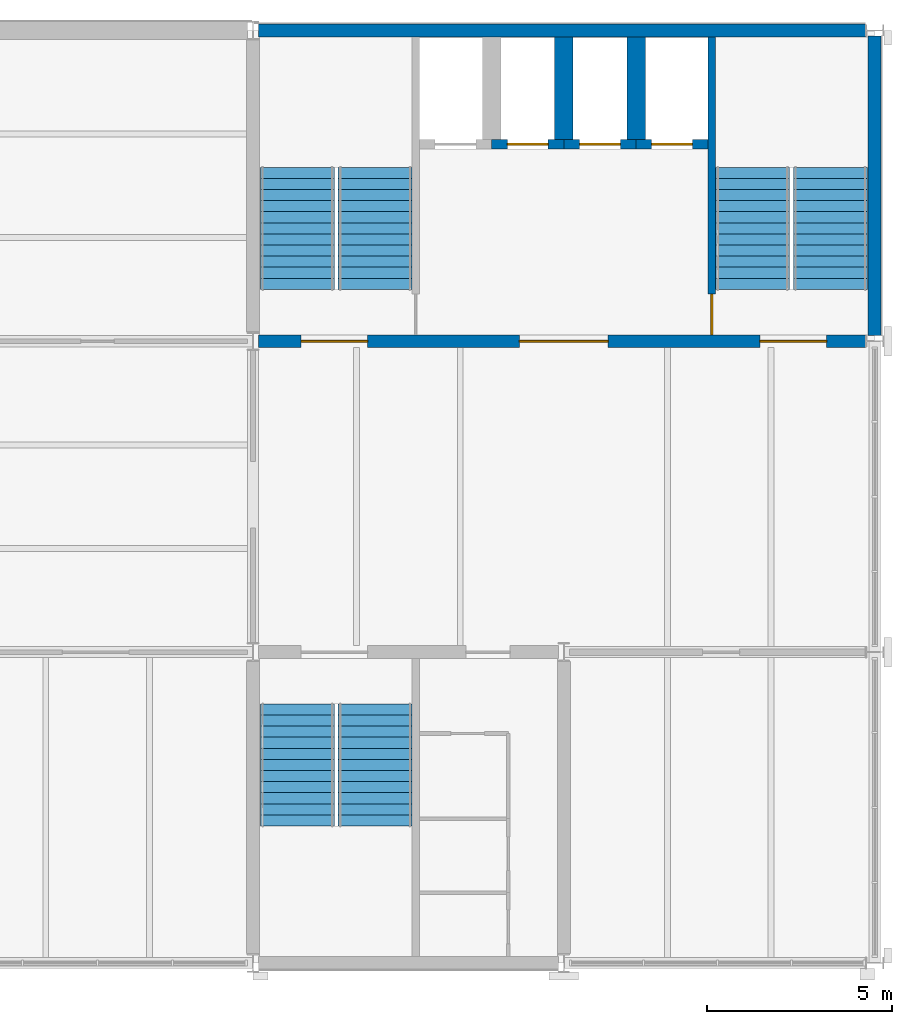
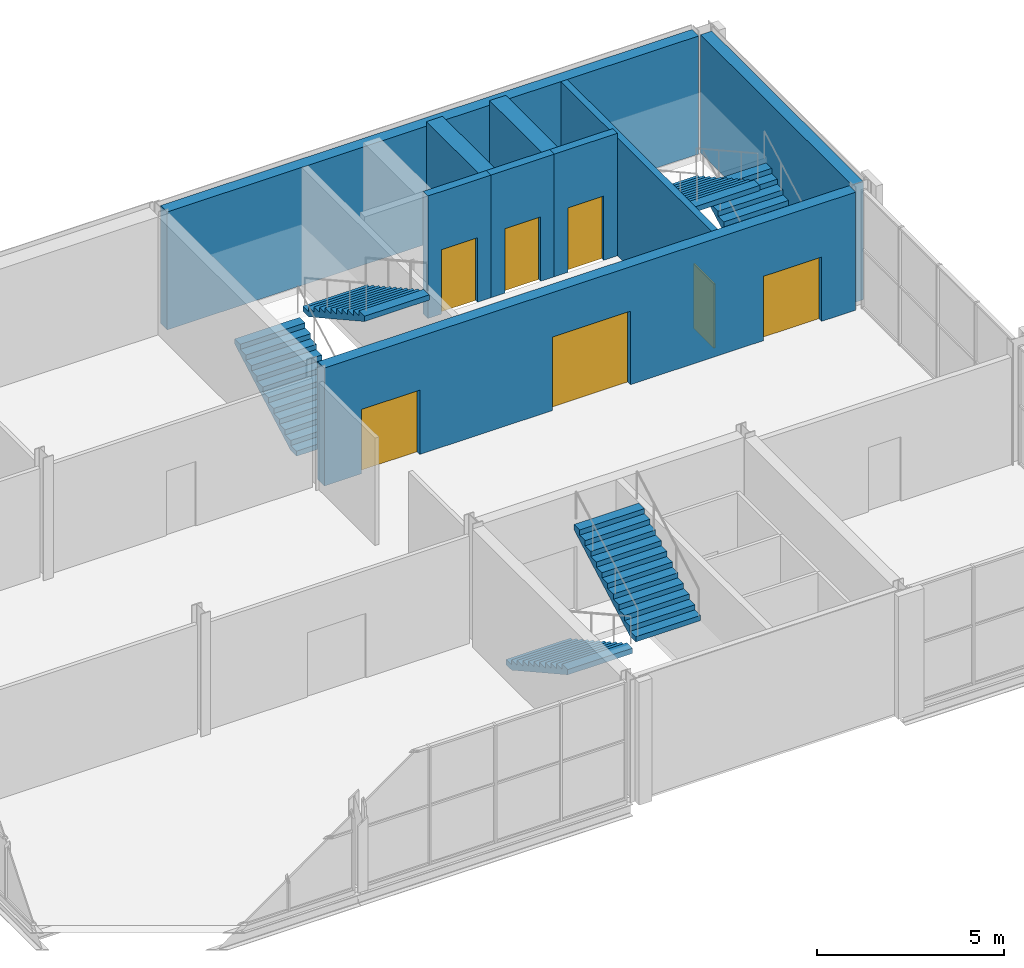
# One storey, part 9 of 12: 9 walls, 7 doors, 6 stair flights, 7 openings, 3 elements without a shape of their own.
"""IFC4 building model written with IfcOpenShell, lengths in metres."""

from ifc_helpers import new_model, si_unit, direction, frame, frame_2d, origin, place, context, subcontext, project, spatial, polyline, rectangle, outline, extrude, material, layer, layer_set, type_object, element, fill, aggregate, save


model = new_model("IFC4")

# Units and contexts
model_context = context("Model", 3, precision=1e-05, world=origin(), true_north=direction((0.0, 1.0)))
body_context = subcontext(model_context, "Body", "Model", "MODEL_VIEW")
ifc_project = project(units=[si_unit("LENGTHUNIT", "METRE"), si_unit("AREAUNIT", "SQUARE_METRE"), si_unit("VOLUMEUNIT", "CUBIC_METRE"), si_unit("PLANEANGLEUNIT", "RADIAN"), si_unit("MASSUNIT", "GRAM", prefix="KILO")], contexts=[model_context])

# Site, building, storey
site_placement = place(None, origin())
site = spatial("IfcSite", under=ifc_project, at=site_placement, CompositionType="ELEMENT")
building_placement = place(site_placement, origin())
building = spatial("IfcBuilding", under=site, at=building_placement, Name="Galleria Vessillo Department Store", CompositionType="ELEMENT")
storey_placement = place(building_placement, frame((0.0, 0.0, 39.60009765625)))
storey = spatial("IfcBuildingStorey", under=building, at=storey_placement, Name="L08", CompositionType="ELEMENT", Elevation=39.60009765625)

# Walls
ifc_material_1 = material(Name="Solid clay block masonry", Category="masonry")
ifc_layer_1 = layer(ifc_material_1, 0.5)
ifc_layer_set_1 = layer_set([ifc_layer_1], Name="Solid clay block masonry")
wall_type_1 = type_object("IfcWallType", Name="Lift shaft partition wall 500 mm", PredefinedType="SOLIDWALL", material=ifc_layer_set_1)
for number, where, z_axis, x_axis, name in (
    (1, (109.199951171875, 62.824951171875, 0.0), (0.0, 0.0, 1.0), (0.0, -1.0, 0.0), "Lift shaft partition wall T2 L08"),
    (2, (111.14990234375, 62.824951171875, 0.0), (0.0, 0.0, 1.0), (0.0, -1.0, 0.0), "Lift shaft partition wall T3 L08"),
):
    element("IfcWall", number, at=place(storey_placement, frame(where, z_axis=z_axis, x_axis=x_axis)), inside=storey, type_object=wall_type_1, Name=name, PredefinedType="SOLIDWALL", context=body_context, shape_type="SweptSolid", body=[
        extrude(rectangle(XDim=2.77490234375, YDim=0.5, at=frame_2d((1.387451171875, 0.0))), origin(), (0.0, 0.0, 1.0), 4.0),
    ])

# Wall, opening, door
ifc_material_2 = material(Name="Solid clay block masonry", Category="masonry")
ifc_layer_2 = layer(ifc_material_2, 0.25)
ifc_layer_set_2 = layer_set([ifc_layer_2], Name="Solid clay block masonry")
wall_type_2 = type_object("IfcWallType", Name="Lift shaft wall 250 mm", PredefinedType="SOLIDWALL", material=ifc_layer_set_2)
wall_1_placement = place(storey_placement, frame((107.25, 59.925048828125, 0.0), z_axis=(0.0, 0.0, 1.0), x_axis=(1.0, 0.0, 0.0)))
wall_1 = element("IfcWall", 3, at=wall_1_placement, inside=storey, type_object=wall_type_2, Name="Lift shaft wall T2 landing side L08", PredefinedType="SOLIDWALL", context=body_context, shape_type="SweptSolid", body=[
    extrude(rectangle(XDim=1.949951171875, YDim=0.25, at=frame_2d((0.97509765625, 0.0))), origin(), (0.0, 0.0, 1.0), 4.0),
])
opening_1_placement = place(wall_1_placement, frame((0.425048828125, 0.0, 0.0)))
opening_1 = element("IfcOpeningElement", 4, at=opening_1_placement, cuts=wall_1, Name="Opening LD106", PredefinedType="OPENING", context=body_context, shape_type="SweptSolid", body=[
    extrude(rectangle(XDim=1.10009765625, YDim=2.10009765625, at=frame_2d((0.550048828125, 1.050048828125))), frame((0.0, 0.135009765625, 0.0), z_axis=(0.0, -1.0, 0.0), x_axis=(1.0, 0.0, 0.0)), (0.0, 0.0, 1.0), 0.27001953125),
])
ifc_material_3 = material(Name="Stainless steel lift door panel", Category="steel")
door_type_1 = type_object("IfcDoorType", Name="Lift landing door LD110 sliding 1100 x 2100", OperationType="SLIDING_TO_LEFT", PredefinedType="DOOR", material=ifc_material_3)
door_1_placement = place(opening_1_placement, frame((1.10009765625, 0.0, 0.0), z_axis=(0.0, 0.0, 1.0), x_axis=(-1.0, 0.0, 0.0)))
door_1 = element("IfcDoor", 5, at=door_1_placement, inside=storey, type_object=door_type_1, Name="Lift landing door T2 L08", OperationType="SLIDING_TO_RIGHT", OverallHeight=2.10009765625, OverallWidth=1.10009765625, PredefinedType="DOOR", context=body_context, shape_type="SweptSolid", body=[
    extrude(rectangle(XDim=1.10009765625, YDim=2.10009765625, at=frame_2d((0.550048828125, 1.050048828125))), frame((0.0, 0.02490234375, 0.0), z_axis=(0.0, -1.0, 0.0), x_axis=(1.0, 0.0, 0.0)), (0.0, 0.0, 1.0), 0.050048828125),
])
fill(opening_1, door_1)

wall_2_placement = place(storey_placement, frame((109.199951171875, 59.925048828125, 0.0), z_axis=(0.0, 0.0, 1.0), x_axis=(1.0, 0.0, 0.0)))
wall_2 = element("IfcWall", 6, at=wall_2_placement, inside=storey, type_object=wall_type_2, Name="Lift shaft wall T3 landing side L08", PredefinedType="SOLIDWALL", context=body_context, shape_type="SweptSolid", body=[
    extrude(rectangle(XDim=1.949951171875, YDim=0.25, at=frame_2d((0.97509765625, 0.0))), origin(), (0.0, 0.0, 1.0), 4.0),
])
opening_2_placement = place(wall_2_placement, frame((0.425048828125, 0.0, 0.0)))
opening_2 = element("IfcOpeningElement", 7, at=opening_2_placement, cuts=wall_2, Name="Opening LD107", PredefinedType="OPENING", context=body_context, shape_type="SweptSolid", body=[
    extrude(rectangle(XDim=1.10009765625, YDim=2.10009765625, at=frame_2d((0.550048828125, 1.050048828125))), frame((0.0, 0.135009765625, 0.0), z_axis=(0.0, -1.0, 0.0), x_axis=(1.0, 0.0, 0.0)), (0.0, 0.0, 1.0), 0.27001953125),
])
door_2_placement = place(opening_2_placement, frame((1.10009765625, 0.0, 0.0), z_axis=(0.0, 0.0, 1.0), x_axis=(-1.0, 0.0, 0.0)))
door_2 = element("IfcDoor", 8, at=door_2_placement, inside=storey, type_object=door_type_1, Name="Lift landing door T3 L08", OperationType="SLIDING_TO_RIGHT", OverallHeight=2.10009765625, OverallWidth=1.10009765625, PredefinedType="DOOR", context=body_context, shape_type="SweptSolid", body=[
    extrude(rectangle(XDim=1.10009765625, YDim=2.10009765625, at=frame_2d((0.550048828125, 1.050048828125))), frame((0.0, 0.02490234375, 0.0), z_axis=(0.0, -1.0, 0.0), x_axis=(1.0, 0.0, 0.0)), (0.0, 0.0, 1.0), 0.050048828125),
])
fill(opening_2, door_2)

wall_3_placement = place(storey_placement, frame((111.14990234375, 59.925048828125, 0.0), z_axis=(0.0, 0.0, 1.0), x_axis=(1.0, 0.0, 0.0)))
wall_3 = element("IfcWall", 9, at=wall_3_placement, inside=storey, type_object=wall_type_2, Name="Lift shaft wall T4 landing side L08", PredefinedType="SOLIDWALL", context=body_context, shape_type="SweptSolid", body=[
    extrude(rectangle(XDim=1.9501953125, YDim=0.25, at=frame_2d((0.97509765625, 0.0))), origin(), (0.0, 0.0, 1.0), 4.0),
])
opening_3_placement = place(wall_3_placement, frame((0.425048828125, 0.0, 0.0)))
opening_3 = element("IfcOpeningElement", 10, at=opening_3_placement, cuts=wall_3, Name="Opening LD108", PredefinedType="OPENING", context=body_context, shape_type="SweptSolid", body=[
    extrude(rectangle(XDim=1.10009765625, YDim=2.10009765625, at=frame_2d((0.550048828125, 1.050048828125))), frame((0.0, 0.135009765625, 0.0), z_axis=(0.0, -1.0, 0.0), x_axis=(1.0, 0.0, 0.0)), (0.0, 0.0, 1.0), 0.27001953125),
])
door_3_placement = place(opening_3_placement, frame((1.10009765625, 0.0, 0.0), z_axis=(0.0, 0.0, 1.0), x_axis=(-1.0, 0.0, 0.0)))
door_3 = element("IfcDoor", 11, at=door_3_placement, inside=storey, type_object=door_type_1, Name="Lift landing door T4 L08", OperationType="SLIDING_TO_LEFT", OverallHeight=2.10009765625, OverallWidth=1.10009765625, PredefinedType="DOOR", context=body_context, shape_type="SweptSolid", body=[
    extrude(rectangle(XDim=1.10009765625, YDim=2.10009765625, at=frame_2d((0.550048828125, 1.050048828125))), frame((0.0, 0.02490234375, 0.0), z_axis=(0.0, -1.0, 0.0), x_axis=(1.0, 0.0, 0.0)), (0.0, 0.0, 1.0), 0.050048828125),
])
fill(opening_3, door_3)

# Wall, openings, doors
ifc_material_4 = material(Name="Concrete C32/40 reinforced", Category="concrete")
ifc_layer_3 = layer(ifc_material_4, 0.35009765625)
ifc_layer_set_3 = layer_set([ifc_layer_3], Name="Concrete C32/40 reinforced")
wall_type_3 = type_object("IfcWallType", Name="Reinforced concrete core wall 350 mm", PredefinedType="SHEAR", material=ifc_layer_set_3)
wall_4_placement = place(storey_placement, frame((100.949951171875, 54.60009765625, 0.0), z_axis=(0.0, 0.0, 1.0), x_axis=(1.0, 0.0, 0.0)))
wall_4 = element("IfcWall", 12, at=wall_4_placement, inside=storey, type_object=wall_type_3, Name="S-CW-TC-INTERIOR-L08", PredefinedType="SHEAR", context=body_context, shape_type="SweptSolid", body=[
    extrude(rectangle(XDim=16.400146484375, YDim=0.35009765625, at=frame_2d((8.2001953125, 0.0))), origin(), (0.0, 0.0, 1.0), 3.85009765625),
])
opening_4_placement = place(wall_4_placement, frame((1.14990234375, 0.0, 0.0)))
opening_4 = element("IfcOpeningElement", 13, at=opening_4_placement, cuts=wall_4, Name="Opening D5282", PredefinedType="OPENING", context=body_context, shape_type="SweptSolid", body=[
    extrude(rectangle(XDim=1.800048828125, YDim=2.10009765625, at=frame_2d((0.89990234375, 1.050048828125))), frame((0.0, 0.18505859375, 0.0), z_axis=(0.0, -1.0, 0.0), x_axis=(1.0, 0.0, 0.0)), (0.0, 0.0, 1.0), 0.3701171875),
])
opening_5_placement = place(wall_4_placement, frame((13.5498046875, 0.0, 0.0)))
opening_5 = element("IfcOpeningElement", 14, at=opening_5_placement, cuts=wall_4, Name="Opening D5283", PredefinedType="OPENING", context=body_context, shape_type="SweptSolid", body=[
    extrude(rectangle(XDim=1.800048828125, YDim=2.10009765625, at=frame_2d((0.89990234375, 1.050048828125))), frame((0.0, 0.18505859375, 0.0), z_axis=(0.0, -1.0, 0.0), x_axis=(1.0, 0.0, 0.0)), (0.0, 0.0, 1.0), 0.3701171875),
])
opening_6_placement = place(wall_4_placement, frame((7.0498046875, 0.0, 0.0)))
opening_6 = element("IfcOpeningElement", 15, at=opening_6_placement, cuts=wall_4, Name="Opening D5284", PredefinedType="OPENING", context=body_context, shape_type="SweptSolid", body=[
    extrude(rectangle(XDim=2.39990234375, YDim=2.39990234375, at=frame_2d((1.199951171875, 1.199951171875))), frame((0.0, 0.18505859375, 0.0), z_axis=(0.0, -1.0, 0.0), x_axis=(1.0, 0.0, 0.0)), (0.0, 0.0, 1.0), 0.3701171875),
])
ifc_material_5 = material(Name="Fire-rated steel door leaf", Category="steel")
door_type_2 = type_object("IfcDoorType", Name="Door D180F double leaf 1800 x 2100", OperationType="DOUBLE_DOOR_SINGLE_SWING", PredefinedType="DOOR", material=ifc_material_5)
door_4_placement = place(opening_4_placement, origin())
door_4 = element("IfcDoor", 16, at=door_4_placement, inside=storey, type_object=door_type_2, Name="Lobby door TC-ST8-FLOOR L08", OperationType="DOUBLE_DOOR_SINGLE_SWING", OverallHeight=2.10009765625, OverallWidth=1.800048828125, PredefinedType="DOOR", context=body_context, shape_type="SweptSolid", body=[
    extrude(rectangle(XDim=1.800048828125, YDim=2.10009765625, at=frame_2d((0.89990234375, 1.050048828125))), frame((0.0, 0.02490234375, 0.0), z_axis=(0.0, -1.0, 0.0), x_axis=(1.0, 0.0, 0.0)), (0.0, 0.0, 1.0), 0.050048828125),
])
fill(opening_4, door_4)
door_5_placement = place(opening_5_placement, origin())
door_5 = element("IfcDoor", 17, at=door_5_placement, inside=storey, type_object=door_type_2, Name="Lobby door TC-ST9-FLOOR L08", OperationType="DOUBLE_DOOR_SINGLE_SWING", OverallHeight=2.10009765625, OverallWidth=1.800048828125, PredefinedType="DOOR", context=body_context, shape_type="SweptSolid", body=[
    extrude(rectangle(XDim=1.800048828125, YDim=2.10009765625, at=frame_2d((0.89990234375, 1.050048828125))), frame((0.0, 0.02490234375, 0.0), z_axis=(0.0, -1.0, 0.0), x_axis=(1.0, 0.0, 0.0)), (0.0, 0.0, 1.0), 0.050048828125),
])
fill(opening_5, door_5)
ifc_material_6 = material(Name="Fire-rated steel door leaf", Category="steel")
door_type_3 = type_object("IfcDoorType", Name="Door D240F double leaf 2400 x 2400", OperationType="DOUBLE_DOOR_SINGLE_SWING", PredefinedType="DOOR", material=ifc_material_6)
door_6_placement = place(opening_6_placement, frame((2.39990234375, 0.0, 0.0), z_axis=(0.0, 0.0, 1.0), x_axis=(-1.0, 0.0, 0.0)))
door_6 = element("IfcDoor", 18, at=door_6_placement, inside=storey, type_object=door_type_3, Name="Lobby door TC-LOBBY-FLOOR L08", OperationType="DOUBLE_DOOR_SINGLE_SWING", OverallHeight=2.39990234375, OverallWidth=2.39990234375, PredefinedType="DOOR", context=body_context, shape_type="SweptSolid", body=[
    extrude(rectangle(XDim=2.39990234375, YDim=2.39990234375, at=frame_2d((1.199951171875, 1.199951171875))), frame((0.0, 0.02490234375, 0.0), z_axis=(0.0, -1.0, 0.0), x_axis=(1.0, 0.0, 0.0)), (0.0, 0.0, 1.0), 0.050048828125),
])
fill(opening_6, door_6)

# Walls
ifc_material_7 = material(Name="Concrete C32/40 reinforced", Category="concrete")
ifc_layer_4 = layer(ifc_material_7, 0.35009765625)
ifc_layer_set_4 = layer_set([ifc_layer_4], Name="Concrete C32/40 reinforced")
wall_type_4 = type_object("IfcWallType", Name="Reinforced concrete core wall 350 mm, external", PredefinedType="SHEAR", material=ifc_layer_set_4)
wall_5_placement = place(storey_placement, frame((100.949951171875, 63.0, 0.0), z_axis=(0.0, 0.0, 1.0), x_axis=(1.0, 0.0, 0.0)))
element("IfcWall", 19, at=wall_5_placement, inside=storey, type_object=wall_type_4, Name="S-CW-TC-PARTY-L08", PredefinedType="SHEAR", context=body_context, shape_type="SweptSolid", body=[
    extrude(rectangle(XDim=16.400146484375, YDim=0.35009765625, at=frame_2d((8.2001953125, 0.0))), origin(), (0.0, 0.0, 1.0), 3.85009765625),
])
wall_6_placement = place(storey_placement, frame((117.60009765625, 54.75, 0.0), z_axis=(0.0, 0.0, 1.0), x_axis=(0.0, 1.0, 0.0)))
element("IfcWall", 20, at=wall_6_placement, inside=storey, type_object=wall_type_4, Name="S-CW-TC-EAST-L08", PredefinedType="SHEAR", context=body_context, shape_type="SweptSolid", body=[
    extrude(rectangle(XDim=8.10009765625, YDim=0.35009765625, at=frame_2d((4.050048828125, 0.0))), origin(), (0.0, 0.0, 1.0), 3.85009765625),
])

# Wall, opening, door
ifc_material_8 = material(Name="Concrete C32/40 reinforced", Category="concrete")
ifc_layer_5 = layer(ifc_material_8, 0.199951171875)
ifc_layer_set_5 = layer_set([ifc_layer_5], Name="Concrete C32/40 reinforced")
wall_type_5 = type_object("IfcWallType", Name="Reinforced concrete stair enclosure wall 200 mm", PredefinedType="SHEAR", material=ifc_layer_set_5)
wall_7_placement = place(storey_placement, frame((113.199951171875, 62.824951171875, 0.0), z_axis=(0.0, 0.0, 1.0), x_axis=(0.0, -1.0, 0.0)))
wall_7 = element("IfcWall", 21, at=wall_7_placement, inside=storey, type_object=wall_type_5, Name="Stair enclosure wall TC L08", PredefinedType="SHEAR", context=body_context, shape_type="SweptSolid", body=[
    extrude(rectangle(XDim=8.050048828125, YDim=0.199951171875, at=frame_2d((4.02490234375, 0.0))), origin(), (0.0, 0.0, 1.0), 3.849853515625),
])
opening_7_placement = place(wall_7_placement, frame((6.949951171875, 0.0, 0.0)))
opening_7 = element("IfcOpeningElement", 22, at=opening_7_placement, cuts=wall_7, Name="Opening D5281", PredefinedType="OPENING", context=body_context, shape_type="SweptSolid", body=[
    extrude(rectangle(XDim=1.11009765625, YDim=2.10009765625, at=frame_2d((0.554931640625, 1.050048828125))), frame((0.0, 0.10986328125, 0.0), z_axis=(0.0, -1.0, 0.0), x_axis=(1.0, 0.0, 0.0)), (0.0, 0.0, 1.0), 0.219970703125),
])
ifc_material_9 = material(Name="Fire-rated steel door leaf", Category="steel")
door_type_4 = type_object("IfcDoorType", Name="Door D110F stair door 1100 x 2100", OperationType="SINGLE_SWING_LEFT", PredefinedType="DOOR", material=ifc_material_9)
door_7_placement = place(opening_7_placement, origin())
door_7 = element("IfcDoor", 23, at=door_7_placement, inside=storey, type_object=door_type_4, Name="Stair door TC-ST9-LOBBY L08", OperationType="SINGLE_SWING_RIGHT", OverallHeight=2.10009765625, OverallWidth=1.10009765625, PredefinedType="DOOR", context=body_context, shape_type="SweptSolid", body=[
    extrude(rectangle(XDim=1.10009765625, YDim=2.10009765625, at=frame_2d((0.550048828125, 1.050048828125))), frame((0.0, 0.02490234375, 0.0), z_axis=(0.0, -1.0, 0.0), x_axis=(1.0, 0.0, 0.0)), (0.0, 0.0, 1.0), 0.050048828125),
])
fill(opening_7, door_7)

# Stair, stair flights
ifc_material_10 = material(Name="Concrete C32/40", Category="concrete")
stair_type = type_object("IfcStairType", Name="Half-turn escape stair 2000 mm, 24 risers of 167 mm", PredefinedType="HALF_TURN_STAIR", material=ifc_material_10)
stair_1_placement = place(storey_placement, origin())
stair_1 = element("IfcStair", 24, at=stair_1_placement, inside=storey, type_object=stair_type, Name="Stair ST8 L08", PredefinedType="HALF_TURN_STAIR")
ifc_material_11 = material(Name="Concrete C32/40", Category="concrete")
stair_flight_type = type_object("IfcStairFlightType", Name="Stair flight 2000 mm, 12 risers of 167 mm", PredefinedType="STRAIGHT", material=ifc_material_11)
stair_flight_1_placement = place(storey_placement, frame((102.0, 55.99951171875, 0.0), z_axis=(0.0, 0.0, 1.0), x_axis=(0.0, 1.0, 0.0)))
stair_flight_1 = element("IfcStairFlight", 25, at=stair_flight_1_placement, type_object=stair_flight_type, Name="ST8 flight 1", NumberOfRisers=12, NumberOfTreads=11, PredefinedType="STRAIGHT", RiserHeight=0.166666667, TreadLength=0.3, context=body_context, shape_type="SweptSolid", body=[
    extrude(outline(polyline([(0.0, 0.0), (0.0, 0.166748046875), (0.300048828125, 0.166748046875), (0.300048828125, 0.333251953125), (0.60009765625, 0.333251953125), (0.60009765625, 0.5), (0.89990234375, 0.5), (0.89990234375, 0.666748046875), (1.199951171875, 0.666748046875), (1.199951171875, 0.833251953125), (1.5, 0.833251953125), (1.5, 1.0), (1.800048828125, 1.0), (1.800048828125, 1.166748046875), (2.10009765625, 1.166748046875), (2.10009765625, 1.333251953125), (2.39990234375, 1.333251953125), (2.39990234375, 1.5), (2.699951171875, 1.5), (2.699951171875, 1.666748046875), (3.0, 1.666748046875), (3.0, 1.833251953125), (3.300048828125, 1.833251953125), (3.300048828125, 2.0), (3.300048828125, 1.661865234375), (0.30859375, 0.0), (0.0, 0.0)])), frame((0.0, 1.0, 0.0), z_axis=(0.0, -1.0, 0.0), x_axis=(1.0, 0.0, 0.0)), (0.0, 0.0, 1.0), 2.0),
])
stair_flight_2_placement = place(storey_placement, frame((104.10009765625, 59.299560546875, 2.0), z_axis=(0.0, 0.0, 1.0), x_axis=(0.0, -1.0, 0.0)))
stair_flight_2 = element("IfcStairFlight", 26, at=stair_flight_2_placement, type_object=stair_flight_type, Name="ST8 flight 2", NumberOfRisers=12, NumberOfTreads=11, PredefinedType="STRAIGHT", RiserHeight=0.166666667, TreadLength=0.3, context=body_context, shape_type="SweptSolid", body=[
    extrude(outline(polyline([(0.0, 0.0), (0.0, 0.166748046875), (0.300048828125, 0.166748046875), (0.300048828125, 0.333251953125), (0.60009765625, 0.333251953125), (0.60009765625, 0.5), (0.89990234375, 0.5), (0.89990234375, 0.666748046875), (1.199951171875, 0.666748046875), (1.199951171875, 0.833251953125), (1.5, 0.833251953125), (1.5, 1.0), (1.800048828125, 1.0), (1.800048828125, 1.166748046875), (2.10009765625, 1.166748046875), (2.10009765625, 1.333251953125), (2.39990234375, 1.333251953125), (2.39990234375, 1.5), (2.699951171875, 1.5), (2.699951171875, 1.666748046875), (3.0, 1.666748046875), (3.0, 1.833251953125), (3.300048828125, 1.833251953125), (3.300048828125, 2.0), (3.300048828125, 1.661865234375), (0.30859375, 0.0), (0.0, 0.0)])), frame((0.0, 1.0, 0.0), z_axis=(0.0, -1.0, 0.0), x_axis=(1.0, 0.0, 0.0)), (0.0, 0.0, 1.0), 2.0),
])
aggregate(stair_1, [stair_flight_1, stair_flight_2])

stair_2_placement = place(storey_placement, origin())
stair_2 = element("IfcStair", 27, at=stair_2_placement, inside=storey, type_object=stair_type, Name="Stair ST9 L08", PredefinedType="HALF_TURN_STAIR")
stair_flight_3_placement = place(storey_placement, frame((116.39990234375, 55.99951171875, 0.0), z_axis=(0.0, 0.0, 1.0), x_axis=(0.0, 1.0, 0.0)))
stair_flight_3 = element("IfcStairFlight", 28, at=stair_flight_3_placement, type_object=stair_flight_type, Name="ST9 flight 1", NumberOfRisers=12, NumberOfTreads=11, PredefinedType="STRAIGHT", RiserHeight=0.166666667, TreadLength=0.3, context=body_context, shape_type="SweptSolid", body=[
    extrude(outline(polyline([(0.0, 0.0), (0.0, 0.166748046875), (0.300048828125, 0.166748046875), (0.300048828125, 0.333251953125), (0.60009765625, 0.333251953125), (0.60009765625, 0.5), (0.89990234375, 0.5), (0.89990234375, 0.666748046875), (1.199951171875, 0.666748046875), (1.199951171875, 0.833251953125), (1.5, 0.833251953125), (1.5, 1.0), (1.800048828125, 1.0), (1.800048828125, 1.166748046875), (2.10009765625, 1.166748046875), (2.10009765625, 1.333251953125), (2.39990234375, 1.333251953125), (2.39990234375, 1.5), (2.699951171875, 1.5), (2.699951171875, 1.666748046875), (3.0, 1.666748046875), (3.0, 1.833251953125), (3.300048828125, 1.833251953125), (3.300048828125, 2.0), (3.300048828125, 1.661865234375), (0.30859375, 0.0), (0.0, 0.0)])), frame((0.0, 1.0, 0.0), z_axis=(0.0, -1.0, 0.0), x_axis=(1.0, 0.0, 0.0)), (0.0, 0.0, 1.0), 2.0),
])
stair_flight_4_placement = place(storey_placement, frame((114.300048828125, 59.299560546875, 2.0), z_axis=(0.0, 0.0, 1.0), x_axis=(0.0, -1.0, 0.0)))
stair_flight_4 = element("IfcStairFlight", 29, at=stair_flight_4_placement, type_object=stair_flight_type, Name="ST9 flight 2", NumberOfRisers=12, NumberOfTreads=11, PredefinedType="STRAIGHT", RiserHeight=0.166666667, TreadLength=0.3, context=body_context, shape_type="SweptSolid", body=[
    extrude(outline(polyline([(0.0, 0.0), (0.0, 0.166748046875), (0.300048828125, 0.166748046875), (0.300048828125, 0.333251953125), (0.60009765625, 0.333251953125), (0.60009765625, 0.5), (0.89990234375, 0.5), (0.89990234375, 0.666748046875), (1.199951171875, 0.666748046875), (1.199951171875, 0.833251953125), (1.5, 0.833251953125), (1.5, 1.0), (1.800048828125, 1.0), (1.800048828125, 1.166748046875), (2.10009765625, 1.166748046875), (2.10009765625, 1.333251953125), (2.39990234375, 1.333251953125), (2.39990234375, 1.5), (2.699951171875, 1.5), (2.699951171875, 1.666748046875), (3.0, 1.666748046875), (3.0, 1.833251953125), (3.300048828125, 1.833251953125), (3.300048828125, 2.0), (3.300048828125, 1.661865234375), (0.30859375, 0.0), (0.0, 0.0)])), frame((0.0, 1.0, 0.0), z_axis=(0.0, -1.0, 0.0), x_axis=(1.0, 0.0, 0.0)), (0.0, 0.0, 1.0), 2.0),
])
aggregate(stair_2, [stair_flight_3, stair_flight_4])

stair_3_placement = place(storey_placement, origin())
stair_3 = element("IfcStair", 30, at=stair_3_placement, inside=storey, type_object=stair_type, Name="Stair ST12 L08", PredefinedType="HALF_TURN_STAIR")
stair_flight_5_placement = place(storey_placement, frame((102.0, 44.800537109375, 0.0), z_axis=(0.0, 0.0, 1.0), x_axis=(0.0, -1.0, 0.0)))
stair_flight_5 = element("IfcStairFlight", 31, at=stair_flight_5_placement, type_object=stair_flight_type, Name="ST12 flight 1", NumberOfRisers=12, NumberOfTreads=11, PredefinedType="STRAIGHT", RiserHeight=0.166666667, TreadLength=0.3, context=body_context, shape_type="SweptSolid", body=[
    extrude(outline(polyline([(0.0, 0.0), (0.0, 0.166748046875), (0.300048828125, 0.166748046875), (0.300048828125, 0.333251953125), (0.60009765625, 0.333251953125), (0.60009765625, 0.5), (0.89990234375, 0.5), (0.89990234375, 0.666748046875), (1.199951171875, 0.666748046875), (1.199951171875, 0.833251953125), (1.5, 0.833251953125), (1.5, 1.0), (1.800048828125, 1.0), (1.800048828125, 1.166748046875), (2.10009765625, 1.166748046875), (2.10009765625, 1.333251953125), (2.39990234375, 1.333251953125), (2.39990234375, 1.5), (2.699951171875, 1.5), (2.699951171875, 1.666748046875), (3.0, 1.666748046875), (3.0, 1.833251953125), (3.300048828125, 1.833251953125), (3.300048828125, 2.0), (3.300048828125, 1.661865234375), (0.30859375, 0.0), (0.0, 0.0)])), frame((0.0, 1.0, 0.0), z_axis=(0.0, -1.0, 0.0), x_axis=(1.0, 0.0, 0.0)), (0.0, 0.0, 1.0), 2.0),
])
stair_flight_6_placement = place(storey_placement, frame((104.10009765625, 41.50048828125, 2.0), z_axis=(0.0, 0.0, 1.0), x_axis=(0.0, 1.0, 0.0)))
stair_flight_6 = element("IfcStairFlight", 32, at=stair_flight_6_placement, type_object=stair_flight_type, Name="ST12 flight 2", NumberOfRisers=12, NumberOfTreads=11, PredefinedType="STRAIGHT", RiserHeight=0.166666667, TreadLength=0.3, context=body_context, shape_type="SweptSolid", body=[
    extrude(outline(polyline([(0.0, 0.0), (0.0, 0.166748046875), (0.300048828125, 0.166748046875), (0.300048828125, 0.333251953125), (0.60009765625, 0.333251953125), (0.60009765625, 0.5), (0.89990234375, 0.5), (0.89990234375, 0.666748046875), (1.199951171875, 0.666748046875), (1.199951171875, 0.833251953125), (1.5, 0.833251953125), (1.5, 1.0), (1.800048828125, 1.0), (1.800048828125, 1.166748046875), (2.10009765625, 1.166748046875), (2.10009765625, 1.333251953125), (2.39990234375, 1.333251953125), (2.39990234375, 1.5), (2.699951171875, 1.5), (2.699951171875, 1.666748046875), (3.0, 1.666748046875), (3.0, 1.833251953125), (3.300048828125, 1.833251953125), (3.300048828125, 2.0), (3.300048828125, 1.661865234375), (0.30859375, 0.0), (0.0, 0.0)])), frame((0.0, 1.0, 0.0), z_axis=(0.0, -1.0, 0.0), x_axis=(1.0, 0.0, 0.0)), (0.0, 0.0, 1.0), 2.0),
])
aggregate(stair_3, [stair_flight_5, stair_flight_6])

save(model, "model.ifc")
